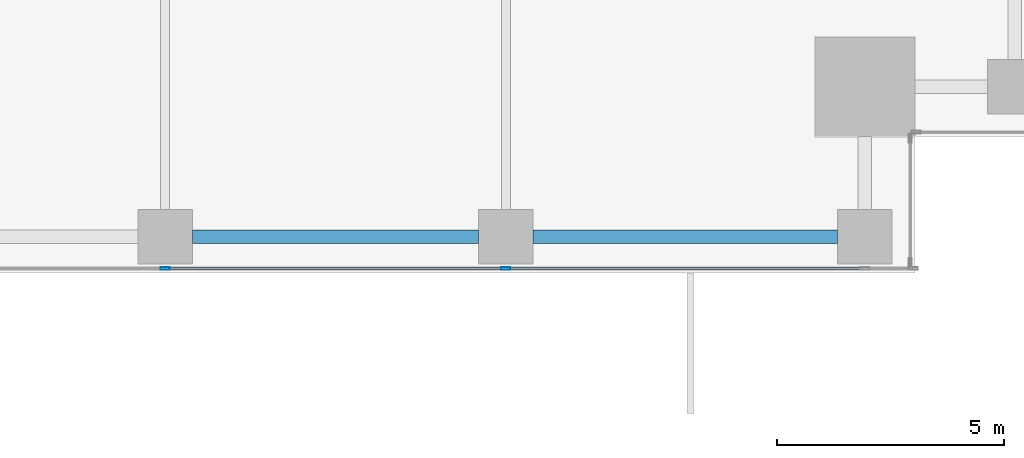
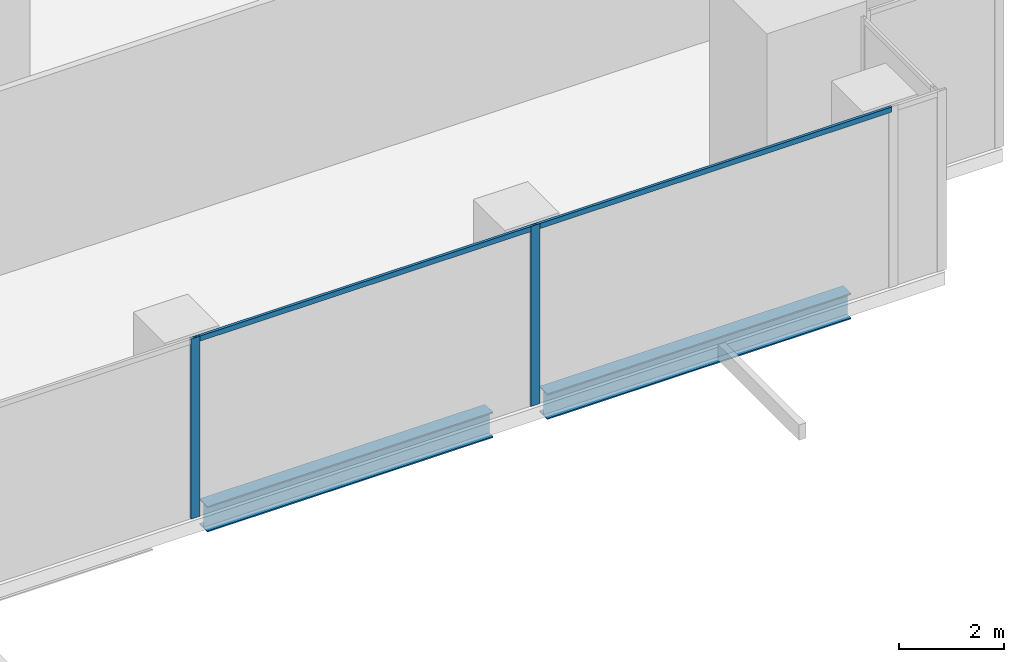
# One storey, part 7 of 33: 4 members, 2 beams, 1 element without a shape of its own.
"""IFC4 building model written with IfcOpenShell, lengths in metres."""

from ifc_helpers import new_model, si_unit, direction, frame, origin, origin_2d, place, context, subcontext, project, spatial, hollow_rectangle, i_section, extrude, source, transform, mapped, material, material_profile, profile_set, type_object, element, aggregate, save


model = new_model("IFC4")

# Units and contexts
model_context = context("Model", 3, precision=1e-05, world=origin(), true_north=direction((0.0, 1.0)))
body_context = subcontext(model_context, "Body", "Model", "MODEL_VIEW")
ifc_project = project(units=[si_unit("LENGTHUNIT", "METRE"), si_unit("AREAUNIT", "SQUARE_METRE"), si_unit("VOLUMEUNIT", "CUBIC_METRE"), si_unit("PLANEANGLEUNIT", "RADIAN"), si_unit("MASSUNIT", "GRAM", prefix="KILO")], contexts=[model_context])

# Site, building, storey
site_placement = place(None, origin())
site = spatial("IfcSite", under=ifc_project, at=site_placement, CompositionType="ELEMENT")
building_placement = place(site_placement, origin())
building = spatial("IfcBuilding", under=site, at=building_placement, Name="Khomas Fold Tower", CompositionType="ELEMENT")
storey_placement = place(building_placement, frame((0.0, 0.0, 82.5)))
storey = spatial("IfcBuildingStorey", under=building, at=storey_placement, Name="L17", CompositionType="ELEMENT", Elevation=82.5)

# Beams
ifc_material_1 = material(Name="Steel S355", Category="steel")
ifc_material_profile_1 = material_profile(ifc_material_1, i_section(OverallWidth=0.300048828125, OverallDepth=0.60009765625, WebThickness=0.015380859375, FlangeThickness=0.030029296875, at=origin_2d()), Name="HE 600 B")
ifc_profile_set_1 = profile_set([ifc_material_profile_1], Name="Steel S355")
beam_type = type_object("IfcBeamType", Name="HE 600 B spandrel SB1", PredefinedType="SPANDREL", material=ifc_profile_set_1)
shared_shape_1 = source(origin(), body_context, "Body", "SweptSolid", [
    extrude(i_section(OverallWidth=0.300048828125, OverallDepth=0.60009765625, WebThickness=0.015380859375, FlangeThickness=0.030029296875, at=origin_2d()), origin(), (0.0, 0.0, 1.0), 6.699951171875),
])
beam_1_placement = place(storey_placement, frame((42.60009765625, 0.800048828125, -0.60009765625), z_axis=(1.0, 0.0, 0.0), x_axis=(0.0, 1.0, 0.0)))
element("IfcBeam", 1, at=beam_1_placement, inside=storey, type_object=beam_type, Name="SB1", PredefinedType="SPANDREL", context=body_context, shape_type="MappedRepresentation", body=[
    mapped(shared_shape_1, transform((0.0, 0.0, 0.0))),
])
shared_shape_2 = source(origin(), body_context, "Body", "SweptSolid", [
    extrude(i_section(OverallWidth=0.300048828125, OverallDepth=0.60009765625, WebThickness=0.015380859375, FlangeThickness=0.030029296875, at=origin_2d()), origin(), (0.0, 0.0, 1.0), 6.2998046875),
])
beam_2_placement = place(storey_placement, frame((35.10009765625, 0.800048828125, -0.60009765625), z_axis=(1.0, 0.0, 0.0), x_axis=(0.0, 1.0, 0.0)))
element("IfcBeam", 2, at=beam_2_placement, inside=storey, type_object=beam_type, Name="SB1", PredefinedType="SPANDREL", context=body_context, shape_type="MappedRepresentation", body=[
    mapped(shared_shape_2, transform((0.0, 0.0, 0.0))),
])

# Curtain wall, members
ifc_material_2 = material(Name="Aluminium framed double glazing", Category="aluminium")
curtain_wall_type = type_object("IfcCurtainWallType", Name="SK-Unitised clear-glass wall, growing floors CW1", PredefinedType="NOTDEFINED", material=ifc_material_2)
curtain_wall_placement = place(storey_placement, origin())
curtain_wall = element("IfcCurtainWall", 3, at=curtain_wall_placement, inside=storey, type_object=curtain_wall_type, Name="CW1 run L17 00-0", PredefinedType="NOTDEFINED")
ifc_material_3 = material(Name="Aluminium", Category="aluminium")
ifc_material_profile_2 = material_profile(ifc_material_3, hollow_rectangle(XDim=0.06005859375, YDim=0.1201171875, WallThickness=0.00390625, at=origin_2d()), Name="SK-Unitised clear-glass wall, growing floors transom CW1-T")
ifc_profile_set_2 = profile_set([ifc_material_profile_2], Name="Aluminium")
member_type_1 = type_object("IfcMemberType", Name="SK-Unitised clear-glass wall, growing floors transom CW1-T", PredefinedType="USERDEFINED", material=ifc_profile_set_2)
shared_shape_3 = source(origin(), body_context, "Body", "SweptSolid", [
    extrude(hollow_rectangle(XDim=0.06005859375, YDim=0.1201171875, WallThickness=0.00390625, at=origin_2d()), origin(), (0.0, 0.0, 1.0), 7.840087890625),
])
member_1_placement = place(storey_placement, frame((42.030029296875, 0.10009765625, 4.139892578125), z_axis=(1.0, 0.0, 0.0), x_axis=(0.0, 1.0, 0.0)))
member_1 = element("IfcMember", 4, at=member_1_placement, type_object=member_type_1, Name="CW1 transom 7", ObjectType="TRANSOM", PredefinedType="USERDEFINED", context=body_context, shape_type="MappedRepresentation", body=[
    mapped(shared_shape_3, transform((0.0, 0.0, 0.0))),
])
shared_shape_4 = source(origin(), body_context, "Body", "SweptSolid", [
    extrude(hollow_rectangle(XDim=0.06005859375, YDim=0.1201171875, WallThickness=0.00390625, at=origin_2d()), origin(), (0.0, 0.0, 1.0), 7.43994140625),
])
member_2_placement = place(storey_placement, frame((34.530029296875, 0.10009765625, 4.139892578125), z_axis=(1.0, 0.0, 0.0), x_axis=(0.0, 1.0, 0.0)))
member_2 = element("IfcMember", 5, at=member_2_placement, type_object=member_type_1, Name="CW1 transom 6", ObjectType="TRANSOM", PredefinedType="USERDEFINED", context=body_context, shape_type="MappedRepresentation", body=[
    mapped(shared_shape_4, transform((0.0, 0.0, 0.0))),
])
ifc_material_4 = material(Name="Aluminium", Category="aluminium")
ifc_material_profile_3 = material_profile(ifc_material_4, hollow_rectangle(XDim=0.06005859375, YDim=0.199951171875, WallThickness=0.00390625, at=origin_2d()), Name="SK-Unitised clear-glass wall, growing floors mullion CW1-M")
ifc_profile_set_3 = profile_set([ifc_material_profile_3], Name="Aluminium")
member_type_2 = type_object("IfcMemberType", Name="SK-Unitised clear-glass wall, growing floors mullion CW1-M", PredefinedType="MULLION", material=ifc_profile_set_3)
shared_shape_5 = source(origin(), body_context, "Body", "SweptSolid", [
    extrude(hollow_rectangle(XDim=0.06005859375, YDim=0.199951171875, WallThickness=0.00390625, at=origin_2d()), origin(), (0.0, 0.0, 1.0), 4.199951171875),
])
member_3_placement = place(storey_placement, frame((34.5, 0.10009765625, 0.0), z_axis=(0.0, 0.0, 1.0), x_axis=(0.0, 1.0, 0.0)))
member_3 = element("IfcMember", 6, at=member_3_placement, type_object=member_type_2, Name="CW1 mullion 6", PredefinedType="MULLION", context=body_context, shape_type="MappedRepresentation", body=[
    mapped(shared_shape_5, transform((0.0, 0.0, 0.0))),
])
member_4_placement = place(storey_placement, frame((42.0, 0.10009765625, 0.0), z_axis=(0.0, 0.0, 1.0), x_axis=(0.0, 1.0, 0.0)))
member_4 = element("IfcMember", 7, at=member_4_placement, type_object=member_type_2, Name="CW1 mullion 7", PredefinedType="MULLION", context=body_context, shape_type="MappedRepresentation", body=[
    mapped(shared_shape_5, transform((0.0, 0.0, 0.0))),
])
aggregate(curtain_wall, [member_3, member_4, member_2, member_1])

save(model, "model.ifc")
